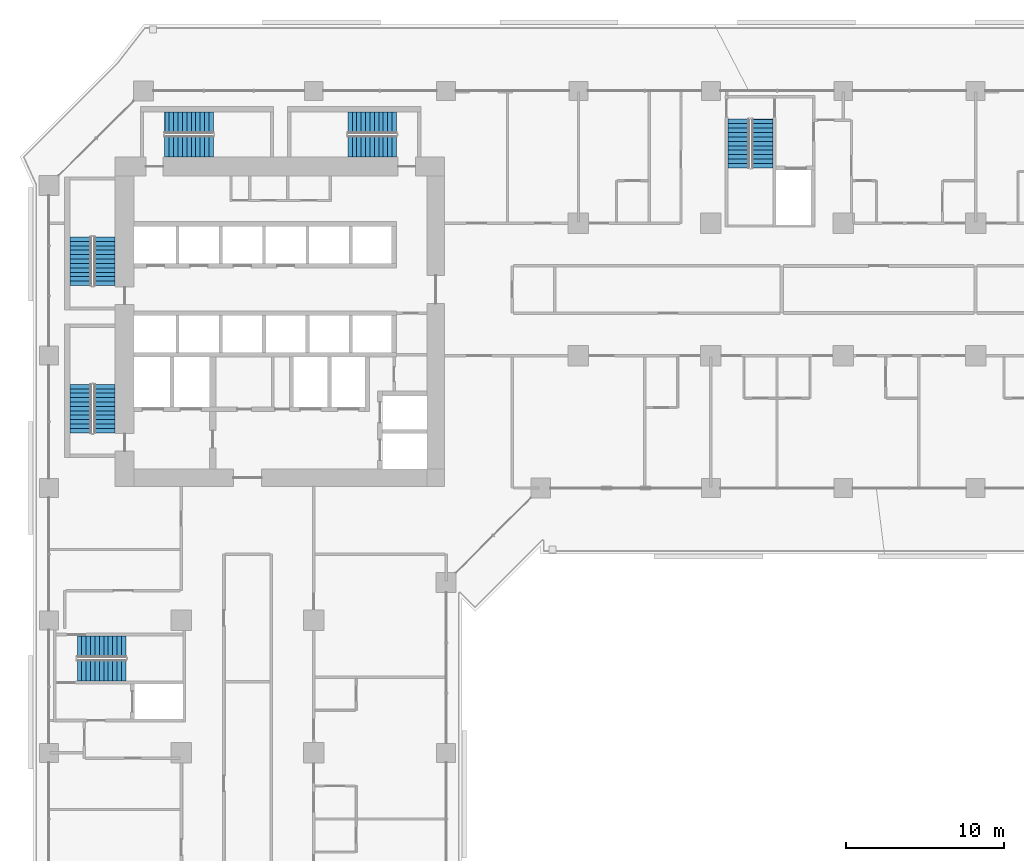
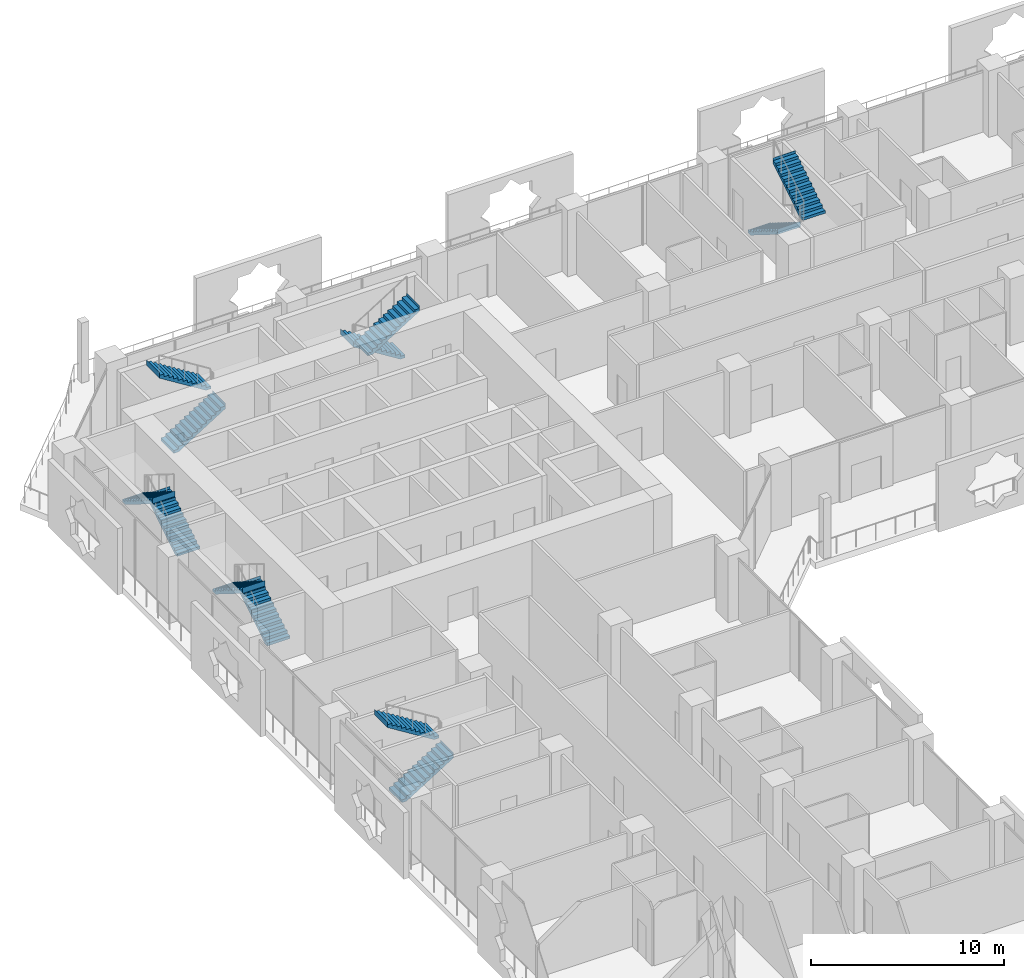
# One storey, part 20 of 26: 12 stair flights, 6 elements without a shape of their own.
"""IFC4 building model written with IfcOpenShell, lengths in metres."""

from ifc_helpers import new_model, si_unit, direction, frame, origin, place, context, subcontext, project, spatial, polyline, outline, extrude, material, type_object, element, aggregate, save


model = new_model("IFC4")

# Units and contexts
model_context = context("Model", 3, precision=1e-05, world=origin(), true_north=direction((0.0, 1.0)))
body_context = subcontext(model_context, "Body", "Model", "MODEL_VIEW")
ifc_project = project(units=[si_unit("LENGTHUNIT", "METRE"), si_unit("AREAUNIT", "SQUARE_METRE"), si_unit("VOLUMEUNIT", "CUBIC_METRE"), si_unit("PLANEANGLEUNIT", "RADIAN"), si_unit("MASSUNIT", "GRAM", prefix="KILO")], contexts=[model_context])

# Site, building, storey
site_placement = place(None, origin())
site = spatial("IfcSite", under=ifc_project, at=site_placement, CompositionType="ELEMENT")
building_placement = place(site_placement, origin())
building = spatial("IfcBuilding", under=site, at=building_placement, Name="Kawkab Arch Medical Tower", CompositionType="ELEMENT")
storey_placement = place(building_placement, frame((0.0, 0.0, 51.800048828125)))
storey = spatial("IfcBuildingStorey", under=building, at=storey_placement, Name="L11", CompositionType="ELEMENT", Elevation=51.800048828125)

# Stair, stair flights
ifc_material_1 = material(Name="Concrete C40/50", Category="concrete")
stair_type = type_object("IfcStairType", Name="Exit stair 1350", PredefinedType="HALF_TURN_STAIR", material=ifc_material_1)
placement = place(storey_placement, origin())
stair_1 = element("IfcStair", 1, at=placement, inside=storey, type_object=stair_type, Name="L11 Exit stair ST1", PredefinedType="HALF_TURN_STAIR")
ifc_material_2 = material(Name="Concrete C40/50", Category="concrete")
stair_flight_type = type_object("IfcStairFlightType", Name="Exit stair flight 1350", PredefinedType="STRAIGHT", material=ifc_material_2)
stair_flight_1_placement = place(storey_placement, frame((3.52490234375, -12.35009765625, 0.0), z_axis=(0.0, 0.0, 1.0), x_axis=(0.0, 1.0, 0.0)))
stair_flight_1 = element("IfcStairFlight", 2, at=stair_flight_1_placement, type_object=stair_flight_type, Name="ST1 flight 1", NumberOfRisers=12, NumberOfTreads=11, PredefinedType="STRAIGHT", RiserHeight=0.175, TreadLength=0.28, context=body_context, shape_type="SweptSolid", body=[
    extrude(outline(polyline([(-0.0029296875, 0.0), (-0.0029296875, 0.175048828125), (0.0, 0.175048828125), (0.280029296875, 0.175048828125), (0.280029296875, 0.35009765625), (0.56005859375, 0.35009765625), (0.56005859375, 0.52490234375), (0.840087890625, 0.52490234375), (0.840087890625, 0.699951171875), (1.1201171875, 0.699951171875), (1.1201171875, 0.875), (1.39990234375, 0.875), (1.39990234375, 1.050048828125), (1.679931640625, 1.050048828125), (1.679931640625, 1.22509765625), (1.9599609375, 1.22509765625), (1.9599609375, 1.39990234375), (2.239990234375, 1.39990234375), (2.239990234375, 1.574951171875), (2.52001953125, 1.574951171875), (2.52001953125, 1.75), (2.800048828125, 1.75), (2.800048828125, 1.925048828125), (3.080078125, 1.925048828125), (3.080078125, 2.10009765625), (3.0830078125, 2.10009765625), (3.0830078125, 1.748291015625), (3.080078125, 1.748291015625), (0.28271484375, 0.0), (-0.0029296875, 0.0)])), frame((0.0, 0.675048828125, 0.0), z_axis=(0.0, -1.0, 0.0), x_axis=(1.0, 0.0, 0.0)), (0.0, 0.0, 1.0), 1.35009765625),
])
stair_flight_2_placement = place(storey_placement, frame((2.02490234375, -9.27001953125, 2.099853515625), z_axis=(0.0, 0.0, 1.0), x_axis=(0.0, -1.0, 0.0)))
stair_flight_2 = element("IfcStairFlight", 3, at=stair_flight_2_placement, type_object=stair_flight_type, Name="ST1 flight 2", NumberOfRisers=12, NumberOfTreads=11, PredefinedType="STRAIGHT", RiserHeight=0.175, TreadLength=0.28, context=body_context, shape_type="SweptSolid", body=[
    extrude(outline(polyline([(-0.0029296875, 0.0), (-0.0029296875, 0.175048828125), (0.0, 0.175048828125), (0.280029296875, 0.175048828125), (0.280029296875, 0.35009765625), (0.56005859375, 0.35009765625), (0.56005859375, 0.52490234375), (0.840087890625, 0.52490234375), (0.840087890625, 0.699951171875), (1.1201171875, 0.699951171875), (1.1201171875, 0.875), (1.39990234375, 0.875), (1.39990234375, 1.050048828125), (1.679931640625, 1.050048828125), (1.679931640625, 1.22509765625), (1.9599609375, 1.22509765625), (1.9599609375, 1.39990234375), (2.239990234375, 1.39990234375), (2.239990234375, 1.574951171875), (2.52001953125, 1.574951171875), (2.52001953125, 1.75), (2.800048828125, 1.75), (2.800048828125, 1.925048828125), (3.080078125, 1.925048828125), (3.080078125, 2.10009765625), (3.0830078125, 2.10009765625), (3.0830078125, 1.748291015625), (3.080078125, 1.748291015625), (0.28271484375, 0.0), (-0.0029296875, 0.0)])), frame((0.0, 0.675048828125, 0.0), z_axis=(0.0, -1.0, 0.0), x_axis=(1.0, 0.0, 0.0)), (0.0, 0.0, 1.0), 1.35009765625),
])
aggregate(stair_1, [stair_flight_1, stair_flight_2])

stair_2 = element("IfcStair", 4, at=placement, inside=storey, type_object=stair_type, Name="L11 Exit stair ST2", PredefinedType="HALF_TURN_STAIR")
stair_flight_3_placement = place(storey_placement, frame((3.52490234375, -21.699951171875, 0.0), z_axis=(0.0, 0.0, 1.0), x_axis=(0.0, 1.0, 0.0)))
stair_flight_3 = element("IfcStairFlight", 5, at=stair_flight_3_placement, type_object=stair_flight_type, Name="ST2 flight 1", NumberOfRisers=12, NumberOfTreads=11, PredefinedType="STRAIGHT", RiserHeight=0.175, TreadLength=0.28, context=body_context, shape_type="SweptSolid", body=[
    extrude(outline(polyline([(-0.0029296875, 0.0), (-0.0029296875, 0.175048828125), (0.0, 0.175048828125), (0.280029296875, 0.175048828125), (0.280029296875, 0.35009765625), (0.56005859375, 0.35009765625), (0.56005859375, 0.52490234375), (0.840087890625, 0.52490234375), (0.840087890625, 0.699951171875), (1.1201171875, 0.699951171875), (1.1201171875, 0.875), (1.39990234375, 0.875), (1.39990234375, 1.050048828125), (1.679931640625, 1.050048828125), (1.679931640625, 1.22509765625), (1.9599609375, 1.22509765625), (1.9599609375, 1.39990234375), (2.239990234375, 1.39990234375), (2.239990234375, 1.574951171875), (2.52001953125, 1.574951171875), (2.52001953125, 1.75), (2.800048828125, 1.75), (2.800048828125, 1.925048828125), (3.080078125, 1.925048828125), (3.080078125, 2.10009765625), (3.0830078125, 2.10009765625), (3.0830078125, 1.748291015625), (3.080078125, 1.748291015625), (0.28271484375, 0.0), (-0.0029296875, 0.0)])), frame((0.0, 0.675048828125, 0.0), z_axis=(0.0, -1.0, 0.0), x_axis=(1.0, 0.0, 0.0)), (0.0, 0.0, 1.0), 1.35009765625),
])
stair_flight_4_placement = place(storey_placement, frame((2.02490234375, -18.6201171875, 2.099853515625), z_axis=(0.0, 0.0, 1.0), x_axis=(0.0, -1.0, 0.0)))
stair_flight_4 = element("IfcStairFlight", 6, at=stair_flight_4_placement, type_object=stair_flight_type, Name="ST2 flight 2", NumberOfRisers=12, NumberOfTreads=11, PredefinedType="STRAIGHT", RiserHeight=0.175, TreadLength=0.28, context=body_context, shape_type="SweptSolid", body=[
    extrude(outline(polyline([(-0.0029296875, 0.0), (-0.0029296875, 0.175048828125), (0.0, 0.175048828125), (0.280029296875, 0.175048828125), (0.280029296875, 0.35009765625), (0.56005859375, 0.35009765625), (0.56005859375, 0.52490234375), (0.840087890625, 0.52490234375), (0.840087890625, 0.699951171875), (1.1201171875, 0.699951171875), (1.1201171875, 0.875), (1.39990234375, 0.875), (1.39990234375, 1.050048828125), (1.679931640625, 1.050048828125), (1.679931640625, 1.22509765625), (1.9599609375, 1.22509765625), (1.9599609375, 1.39990234375), (2.239990234375, 1.39990234375), (2.239990234375, 1.574951171875), (2.52001953125, 1.574951171875), (2.52001953125, 1.75), (2.800048828125, 1.75), (2.800048828125, 1.925048828125), (3.080078125, 1.925048828125), (3.080078125, 2.10009765625), (3.0830078125, 2.10009765625), (3.0830078125, 1.748291015625), (3.080078125, 1.748291015625), (0.28271484375, 0.0), (-0.0029296875, 0.0)])), frame((0.0, 0.675048828125, 0.0), z_axis=(0.0, -1.0, 0.0), x_axis=(1.0, 0.0, 0.0)), (0.0, 0.0, 1.0), 1.35009765625),
])
aggregate(stair_2, [stair_flight_3, stair_flight_4])

stair_3 = element("IfcStair", 7, at=placement, inside=storey, type_object=stair_type, Name="L11 Exit stair ST3", PredefinedType="HALF_TURN_STAIR")
stair_flight_5_placement = place(storey_placement, frame((7.35009765625, -3.52490234375, 0.0), z_axis=(0.0, 0.0, 1.0), x_axis=(1.0, 0.0, 0.0)))
stair_flight_5 = element("IfcStairFlight", 8, at=stair_flight_5_placement, type_object=stair_flight_type, Name="ST3 flight 1", NumberOfRisers=12, NumberOfTreads=11, PredefinedType="STRAIGHT", RiserHeight=0.175, TreadLength=0.28, context=body_context, shape_type="SweptSolid", body=[
    extrude(outline(polyline([(-0.0029296875, 0.0), (-0.0029296875, 0.175048828125), (0.0, 0.175048828125), (0.280029296875, 0.175048828125), (0.280029296875, 0.35009765625), (0.56005859375, 0.35009765625), (0.56005859375, 0.52490234375), (0.840087890625, 0.52490234375), (0.840087890625, 0.699951171875), (1.1201171875, 0.699951171875), (1.1201171875, 0.875), (1.39990234375, 0.875), (1.39990234375, 1.050048828125), (1.679931640625, 1.050048828125), (1.679931640625, 1.22509765625), (1.9599609375, 1.22509765625), (1.9599609375, 1.39990234375), (2.239990234375, 1.39990234375), (2.239990234375, 1.574951171875), (2.52001953125, 1.574951171875), (2.52001953125, 1.75), (2.800048828125, 1.75), (2.800048828125, 1.925048828125), (3.080078125, 1.925048828125), (3.080078125, 2.10009765625), (3.0830078125, 2.10009765625), (3.0830078125, 1.748291015625), (3.080078125, 1.748291015625), (0.28271484375, 0.0), (-0.0029296875, 0.0)])), frame((0.0, 0.675048828125, 0.0), z_axis=(0.0, -1.0, 0.0), x_axis=(1.0, 0.0, 0.0)), (0.0, 0.0, 1.0), 1.35009765625),
])
stair_flight_6_placement = place(storey_placement, frame((10.429931640625, -2.02490234375, 2.099853515625), z_axis=(0.0, 0.0, 1.0), x_axis=(-1.0, 0.0, 0.0)))
stair_flight_6 = element("IfcStairFlight", 9, at=stair_flight_6_placement, type_object=stair_flight_type, Name="ST3 flight 2", NumberOfRisers=12, NumberOfTreads=11, PredefinedType="STRAIGHT", RiserHeight=0.175, TreadLength=0.28, context=body_context, shape_type="SweptSolid", body=[
    extrude(outline(polyline([(-0.0029296875, 0.0), (-0.0029296875, 0.175048828125), (0.0, 0.175048828125), (0.280029296875, 0.175048828125), (0.280029296875, 0.35009765625), (0.56005859375, 0.35009765625), (0.56005859375, 0.52490234375), (0.840087890625, 0.52490234375), (0.840087890625, 0.699951171875), (1.1201171875, 0.699951171875), (1.1201171875, 0.875), (1.39990234375, 0.875), (1.39990234375, 1.050048828125), (1.679931640625, 1.050048828125), (1.679931640625, 1.22509765625), (1.9599609375, 1.22509765625), (1.9599609375, 1.39990234375), (2.239990234375, 1.39990234375), (2.239990234375, 1.574951171875), (2.52001953125, 1.574951171875), (2.52001953125, 1.75), (2.800048828125, 1.75), (2.800048828125, 1.925048828125), (3.080078125, 1.925048828125), (3.080078125, 2.10009765625), (3.0830078125, 2.10009765625), (3.0830078125, 1.748291015625), (3.080078125, 1.748291015625), (0.28271484375, 0.0), (-0.0029296875, 0.0)])), frame((0.0, 0.675048828125, 0.0), z_axis=(0.0, -1.0, 0.0), x_axis=(1.0, 0.0, 0.0)), (0.0, 0.0, 1.0), 1.35009765625),
])
aggregate(stair_3, [stair_flight_5, stair_flight_6])

stair_4 = element("IfcStair", 10, at=placement, inside=storey, type_object=stair_type, Name="L11 Exit stair ST4", PredefinedType="HALF_TURN_STAIR")
stair_flight_7_placement = place(storey_placement, frame((22.050048828125, -2.02490234375, 0.0), z_axis=(0.0, 0.0, 1.0), x_axis=(-1.0, 0.0, 0.0)))
stair_flight_7 = element("IfcStairFlight", 11, at=stair_flight_7_placement, type_object=stair_flight_type, Name="ST4 flight 1", NumberOfRisers=12, NumberOfTreads=11, PredefinedType="STRAIGHT", RiserHeight=0.175, TreadLength=0.28, context=body_context, shape_type="SweptSolid", body=[
    extrude(outline(polyline([(-0.0029296875, 0.0), (-0.0029296875, 0.175048828125), (0.0, 0.175048828125), (0.280029296875, 0.175048828125), (0.280029296875, 0.35009765625), (0.56005859375, 0.35009765625), (0.56005859375, 0.52490234375), (0.840087890625, 0.52490234375), (0.840087890625, 0.699951171875), (1.1201171875, 0.699951171875), (1.1201171875, 0.875), (1.39990234375, 0.875), (1.39990234375, 1.050048828125), (1.679931640625, 1.050048828125), (1.679931640625, 1.22509765625), (1.9599609375, 1.22509765625), (1.9599609375, 1.39990234375), (2.239990234375, 1.39990234375), (2.239990234375, 1.574951171875), (2.52001953125, 1.574951171875), (2.52001953125, 1.75), (2.800048828125, 1.75), (2.800048828125, 1.925048828125), (3.080078125, 1.925048828125), (3.080078125, 2.10009765625), (3.0830078125, 2.10009765625), (3.0830078125, 1.748291015625), (3.080078125, 1.748291015625), (0.28271484375, 0.0), (-0.0029296875, 0.0)])), frame((0.0, 0.675048828125, 0.0), z_axis=(0.0, -1.0, 0.0), x_axis=(1.0, 0.0, 0.0)), (0.0, 0.0, 1.0), 1.35009765625),
])
stair_flight_8_placement = place(storey_placement, frame((18.969970703125, -3.52490234375, 2.099853515625), z_axis=(0.0, 0.0, 1.0), x_axis=(1.0, 0.0, 0.0)))
stair_flight_8 = element("IfcStairFlight", 12, at=stair_flight_8_placement, type_object=stair_flight_type, Name="ST4 flight 2", NumberOfRisers=12, NumberOfTreads=11, PredefinedType="STRAIGHT", RiserHeight=0.175, TreadLength=0.28, context=body_context, shape_type="SweptSolid", body=[
    extrude(outline(polyline([(-0.0029296875, 0.0), (-0.0029296875, 0.175048828125), (0.0, 0.175048828125), (0.280029296875, 0.175048828125), (0.280029296875, 0.35009765625), (0.56005859375, 0.35009765625), (0.56005859375, 0.52490234375), (0.840087890625, 0.52490234375), (0.840087890625, 0.699951171875), (1.1201171875, 0.699951171875), (1.1201171875, 0.875), (1.39990234375, 0.875), (1.39990234375, 1.050048828125), (1.679931640625, 1.050048828125), (1.679931640625, 1.22509765625), (1.9599609375, 1.22509765625), (1.9599609375, 1.39990234375), (2.239990234375, 1.39990234375), (2.239990234375, 1.574951171875), (2.52001953125, 1.574951171875), (2.52001953125, 1.75), (2.800048828125, 1.75), (2.800048828125, 1.925048828125), (3.080078125, 1.925048828125), (3.080078125, 2.10009765625), (3.0830078125, 2.10009765625), (3.0830078125, 1.748291015625), (3.080078125, 1.748291015625), (0.28271484375, 0.0), (-0.0029296875, 0.0)])), frame((0.0, 0.675048828125, 0.0), z_axis=(0.0, -1.0, 0.0), x_axis=(1.0, 0.0, 0.0)), (0.0, 0.0, 1.0), 1.35009765625),
])
aggregate(stair_4, [stair_flight_7, stair_flight_8])

stair_5 = element("IfcStair", 13, at=placement, inside=storey, type_object=stair_type, Name="L11 Exit stair ST5", PredefinedType="HALF_TURN_STAIR")
stair_flight_9_placement = place(storey_placement, frame((43.77490234375, -1.800048828125, 0.0), z_axis=(0.0, 0.0, 1.0), x_axis=(0.0, -1.0, 0.0)))
stair_flight_9 = element("IfcStairFlight", 14, at=stair_flight_9_placement, type_object=stair_flight_type, Name="ST5 flight 1", NumberOfRisers=12, NumberOfTreads=11, PredefinedType="STRAIGHT", RiserHeight=0.175, TreadLength=0.28, context=body_context, shape_type="SweptSolid", body=[
    extrude(outline(polyline([(-0.0029296875, 0.0), (-0.0029296875, 0.175048828125), (0.0, 0.175048828125), (0.280029296875, 0.175048828125), (0.280029296875, 0.35009765625), (0.56005859375, 0.35009765625), (0.56005859375, 0.52490234375), (0.840087890625, 0.52490234375), (0.840087890625, 0.699951171875), (1.1201171875, 0.699951171875), (1.1201171875, 0.875), (1.39990234375, 0.875), (1.39990234375, 1.050048828125), (1.679931640625, 1.050048828125), (1.679931640625, 1.22509765625), (1.9599609375, 1.22509765625), (1.9599609375, 1.39990234375), (2.239990234375, 1.39990234375), (2.239990234375, 1.574951171875), (2.52001953125, 1.574951171875), (2.52001953125, 1.75), (2.800048828125, 1.75), (2.800048828125, 1.925048828125), (3.080078125, 1.925048828125), (3.080078125, 2.10009765625), (3.0830078125, 2.10009765625), (3.0830078125, 1.748291015625), (3.080078125, 1.748291015625), (0.28271484375, 0.0), (-0.0029296875, 0.0)])), frame((0.0, 0.675048828125, 0.0), z_axis=(0.0, -1.0, 0.0), x_axis=(1.0, 0.0, 0.0)), (0.0, 0.0, 1.0), 1.35009765625),
])
stair_flight_10_placement = place(storey_placement, frame((45.27490234375, -4.8798828125, 2.099853515625), z_axis=(0.0, 0.0, 1.0), x_axis=(0.0, 1.0, 0.0)))
stair_flight_10 = element("IfcStairFlight", 15, at=stair_flight_10_placement, type_object=stair_flight_type, Name="ST5 flight 2", NumberOfRisers=12, NumberOfTreads=11, PredefinedType="STRAIGHT", RiserHeight=0.175, TreadLength=0.28, context=body_context, shape_type="SweptSolid", body=[
    extrude(outline(polyline([(-0.0029296875, 0.0), (-0.0029296875, 0.175048828125), (0.0, 0.175048828125), (0.280029296875, 0.175048828125), (0.280029296875, 0.35009765625), (0.56005859375, 0.35009765625), (0.56005859375, 0.52490234375), (0.840087890625, 0.52490234375), (0.840087890625, 0.699951171875), (1.1201171875, 0.699951171875), (1.1201171875, 0.875), (1.39990234375, 0.875), (1.39990234375, 1.050048828125), (1.679931640625, 1.050048828125), (1.679931640625, 1.22509765625), (1.9599609375, 1.22509765625), (1.9599609375, 1.39990234375), (2.239990234375, 1.39990234375), (2.239990234375, 1.574951171875), (2.52001953125, 1.574951171875), (2.52001953125, 1.75), (2.800048828125, 1.75), (2.800048828125, 1.925048828125), (3.080078125, 1.925048828125), (3.080078125, 2.10009765625), (3.0830078125, 2.10009765625), (3.0830078125, 1.748291015625), (3.080078125, 1.748291015625), (0.28271484375, 0.0), (-0.0029296875, 0.0)])), frame((0.0, 0.675048828125, 0.0), z_axis=(0.0, -1.0, 0.0), x_axis=(1.0, 0.0, 0.0)), (0.0, 0.0, 1.0), 1.35009765625),
])
aggregate(stair_5, [stair_flight_9, stair_flight_10])

stair_6 = element("IfcStair", 16, at=placement, inside=storey, type_object=stair_type, Name="L11 Exit stair ST6", PredefinedType="HALF_TURN_STAIR")
stair_flight_11_placement = place(storey_placement, frame((1.800048828125, -36.77490234375, 0.0), z_axis=(0.0, 0.0, 1.0), x_axis=(1.0, 0.0, 0.0)))
stair_flight_11 = element("IfcStairFlight", 17, at=stair_flight_11_placement, type_object=stair_flight_type, Name="ST6 flight 1", NumberOfRisers=12, NumberOfTreads=11, PredefinedType="STRAIGHT", RiserHeight=0.175, TreadLength=0.28, context=body_context, shape_type="SweptSolid", body=[
    extrude(outline(polyline([(-0.0029296875, 0.0), (-0.0029296875, 0.175048828125), (0.0, 0.175048828125), (0.280029296875, 0.175048828125), (0.280029296875, 0.35009765625), (0.56005859375, 0.35009765625), (0.56005859375, 0.52490234375), (0.840087890625, 0.52490234375), (0.840087890625, 0.699951171875), (1.1201171875, 0.699951171875), (1.1201171875, 0.875), (1.39990234375, 0.875), (1.39990234375, 1.050048828125), (1.679931640625, 1.050048828125), (1.679931640625, 1.22509765625), (1.9599609375, 1.22509765625), (1.9599609375, 1.39990234375), (2.239990234375, 1.39990234375), (2.239990234375, 1.574951171875), (2.52001953125, 1.574951171875), (2.52001953125, 1.75), (2.800048828125, 1.75), (2.800048828125, 1.925048828125), (3.080078125, 1.925048828125), (3.080078125, 2.10009765625), (3.0830078125, 2.10009765625), (3.0830078125, 1.748291015625), (3.080078125, 1.748291015625), (0.28271484375, 0.0), (-0.0029296875, 0.0)])), frame((0.0, 0.675048828125, 0.0), z_axis=(0.0, -1.0, 0.0), x_axis=(1.0, 0.0, 0.0)), (0.0, 0.0, 1.0), 1.35009765625),
])
stair_flight_12_placement = place(storey_placement, frame((4.8798828125, -35.27490234375, 2.099853515625), z_axis=(0.0, 0.0, 1.0), x_axis=(-1.0, 0.0, 0.0)))
stair_flight_12 = element("IfcStairFlight", 18, at=stair_flight_12_placement, type_object=stair_flight_type, Name="ST6 flight 2", NumberOfRisers=12, NumberOfTreads=11, PredefinedType="STRAIGHT", RiserHeight=0.175, TreadLength=0.28, context=body_context, shape_type="SweptSolid", body=[
    extrude(outline(polyline([(-0.0029296875, 0.0), (-0.0029296875, 0.175048828125), (0.0, 0.175048828125), (0.280029296875, 0.175048828125), (0.280029296875, 0.35009765625), (0.56005859375, 0.35009765625), (0.56005859375, 0.52490234375), (0.840087890625, 0.52490234375), (0.840087890625, 0.699951171875), (1.1201171875, 0.699951171875), (1.1201171875, 0.875), (1.39990234375, 0.875), (1.39990234375, 1.050048828125), (1.679931640625, 1.050048828125), (1.679931640625, 1.22509765625), (1.9599609375, 1.22509765625), (1.9599609375, 1.39990234375), (2.239990234375, 1.39990234375), (2.239990234375, 1.574951171875), (2.52001953125, 1.574951171875), (2.52001953125, 1.75), (2.800048828125, 1.75), (2.800048828125, 1.925048828125), (3.080078125, 1.925048828125), (3.080078125, 2.10009765625), (3.0830078125, 2.10009765625), (3.0830078125, 1.748291015625), (3.080078125, 1.748291015625), (0.28271484375, 0.0), (-0.0029296875, 0.0)])), frame((0.0, 0.675048828125, 0.0), z_axis=(0.0, -1.0, 0.0), x_axis=(1.0, 0.0, 0.0)), (0.0, 0.0, 1.0), 1.35009765625),
])
aggregate(stair_6, [stair_flight_11, stair_flight_12])

save(model, "model.ifc")
